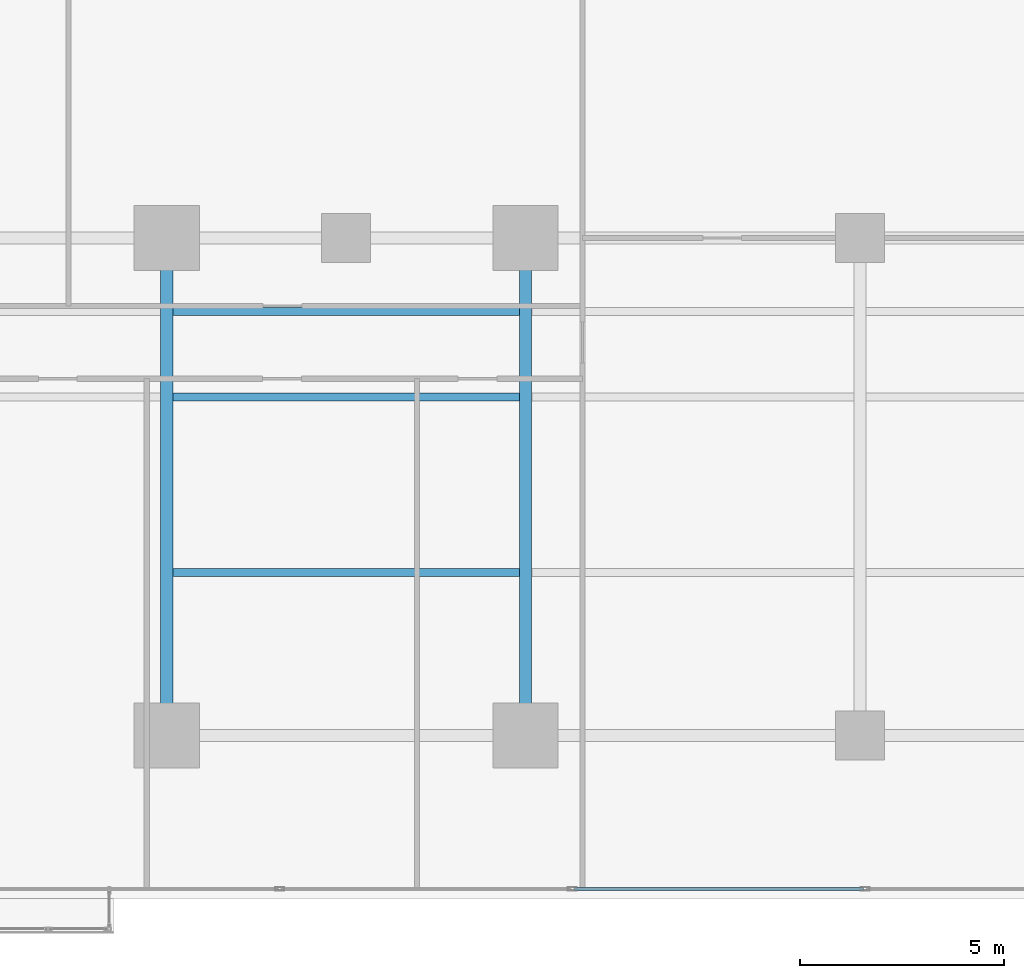
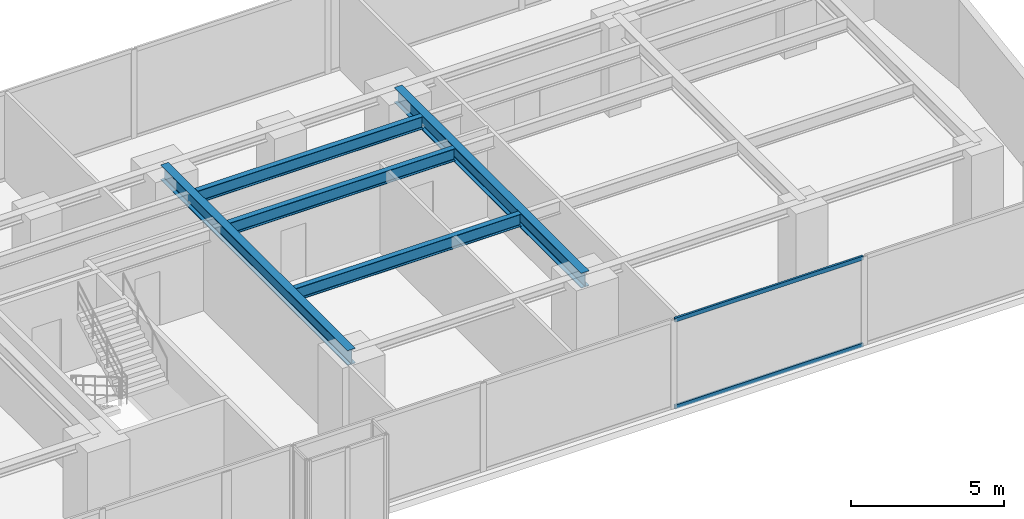
# One storey, part 10 of 31: 5 beams, 2 members, 1 element without a shape of its own.
"""IFC4 building model written with IfcOpenShell, lengths in metres."""

from ifc_helpers import new_model, si_unit, direction, frame, origin, origin_with_axes, origin_2d, place, context, subcontext, project, spatial, hollow_rectangle, i_section, extrude, source, transform, mapped, material, layer, layer_set, material_profile, profile_set, type_object, element, aggregate, save


model = new_model("IFC4")

# Units and contexts
model_context = context("Model", 3, precision=1e-05, world=origin(), true_north=direction((0.0, 1.0)))
body_context = subcontext(model_context, "Body", "Model", "MODEL_VIEW")
ifc_project = project(units=[si_unit("LENGTHUNIT", "METRE"), si_unit("AREAUNIT", "SQUARE_METRE"), si_unit("VOLUMEUNIT", "CUBIC_METRE"), si_unit("PLANEANGLEUNIT", "RADIAN"), si_unit("MASSUNIT", "GRAM", prefix="KILO")], contexts=[model_context])

# Site, building, storey
site_placement = place(None, origin())
site = spatial("IfcSite", under=ifc_project, at=site_placement, CompositionType="ELEMENT")
building_placement = place(site_placement, origin())
building = spatial("IfcBuilding", under=site, at=building_placement, Name="Kolvaren Waterfront Exchange", CompositionType="ELEMENT")
storey_placement = place(building_placement, frame((0.0, 0.0, 67.60009765625)))
storey = spatial("IfcBuildingStorey", under=building, at=storey_placement, Name="L17", CompositionType="ELEMENT", Elevation=67.60009765625)

# Beams
ifc_material_1 = material(Name="Steel S355", Category="steel")
ifc_material_profile_1 = material_profile(ifc_material_1, i_section(OverallWidth=0.300048828125, OverallDepth=0.60009765625, WebThickness=0.015380859375, FlangeThickness=0.030029296875, FilletRadius=0.027099609375, at=origin_2d()), Name="HEB600")
ifc_profile_set_1 = profile_set([ifc_material_profile_1], Name="Steel S355")
beam_type_1 = type_object("IfcBeamType", Name="STR-BM-HEB600", PredefinedType="BEAM", material=ifc_profile_set_1)
for number, where, z_axis, x_axis, name in (
    (1, (36.800048828125, 5.199951171875, 3.239990234375), (0.0, 1.0, 0.0), (-1.0, 0.0, 0.0), "L17 east-arm transverse girder X36"),
    (2, (45.60009765625, 5.199951171875, 3.239990234375), (0.0, 1.0, 0.0), (-1.0, 0.0, 0.0), "L17 east-arm transverse girder X45"),
):
    element("IfcBeam", number, at=place(storey_placement, frame(where, z_axis=z_axis, x_axis=x_axis)), inside=storey, type_object=beam_type_1, Name=name, PredefinedType="BEAM", context=body_context, shape_type="SweptSolid", body=[
        extrude(i_section(OverallWidth=0.300048828125, OverallDepth=0.60009765625, WebThickness=0.015380859375, FlangeThickness=0.030029296875, FilletRadius=0.027099609375, at=origin_2d()), origin(), (0.0, 0.0, 1.0), 12.199951171875),
    ])
ifc_material_profile_2 = material_profile(ifc_material_1, i_section(OverallWidth=0.199951171875, OverallDepth=0.5, WebThickness=0.01025390625, FlangeThickness=0.01611328125, FilletRadius=0.02099609375, at=origin_2d()), Name="IPE500")
ifc_profile_set_2 = profile_set([ifc_material_profile_2], Name="Steel S355")
beam_type_2 = type_object("IfcBeamType", Name="STR-BM-IPE500", PredefinedType="JOIST", material=ifc_profile_set_2)
for number, where, z_axis, x_axis, name in (
    (3, (36.951904296875, 13.5, 3.289794921875), (1.0, 0.0, 0.0), (0.0, 1.0, 0.0), "L17 east-arm composite joist 3A"),
    (4, (36.951904296875, 15.60009765625, 3.289794921875), (1.0, 0.0, 0.0), (0.0, 1.0, 0.0), "L17 east-arm composite joist 3C"),
    (5, (36.951904296875, 9.199951171875, 3.289794921875), (1.0, 0.0, 0.0), (0.0, 1.0, 0.0), "L17 east-arm composite joist 3B"),
):
    element("IfcBeam", number, at=place(storey_placement, frame(where, z_axis=z_axis, x_axis=x_axis)), inside=storey, type_object=beam_type_2, Name=name, PredefinedType="JOIST", context=body_context, shape_type="SweptSolid", body=[
        extrude(i_section(OverallWidth=0.199951171875, OverallDepth=0.5, WebThickness=0.01025390625, FlangeThickness=0.01611328125, FilletRadius=0.02099609375, at=origin_2d()), origin(), (0.0, 0.0, 1.0), 8.49609375),
    ])

# Curtain wall, members
ifc_material_2 = material(Name="Anodised bronze aluminium 6063-T6", Category="aluminium")
ifc_layer = layer(ifc_material_2, 0.219970703125, Name="Anodised bronze aluminium 6063-T6")
ifc_layer_set = layer_set([ifc_layer], Name="Anodised bronze aluminium 6063-T6")
curtain_wall_type = type_object("IfcCurtainWallType", Name="ARC-CW-SYS1", PredefinedType="USERDEFINED", material=ifc_layer_set)
curtain_wall_placement = place(storey_placement, origin())
curtain_wall = element("IfcCurtainWall", 6, at=curtain_wall_placement, inside=storey, type_object=curtain_wall_type, Name="L17 stick curtain wall CW1 (CW-L17-S)", ObjectType="STICK CURTAIN WALL", PredefinedType="USERDEFINED")
ifc_material_3 = material(Name="Anodised aluminium 6063-T6", Category="aluminium")
ifc_material_profile_3 = material_profile(ifc_material_3, hollow_rectangle(XDim=0.074951171875, YDim=0.159912109375, WallThickness=0.00439453125, at=origin_2d()), Name="ALU-TRN-160x75x4.5")
ifc_profile_set_3 = profile_set([ifc_material_profile_3], Name="Anodised aluminium 6063-T6")
member_type = type_object("IfcMemberType", Name="ARC-CWT-160", PredefinedType="USERDEFINED", material=ifc_profile_set_3)
shared_shape = source(origin_with_axes(), body_context, "Body", "SweptSolid", [
    extrude(hollow_rectangle(XDim=0.074951171875, YDim=0.159912109375, WallThickness=0.00439453125, at=origin_2d()), origin(), (0.0, 0.0, 1.0), 7.094970703125),
])
member_1_placement = place(storey_placement, frame((46.7900390625, 1.43994140625, 0.037353515625), z_axis=(1.0, 0.0, 0.0), x_axis=(0.0, 1.0, 0.0)))
member_1 = element("IfcMember", 7, at=member_1_placement, type_object=member_type, Name="CW1 transom 7.1", ObjectType="TRANSOM", PredefinedType="USERDEFINED", context=body_context, shape_type="MappedRepresentation", body=[
    mapped(shared_shape, transform((0.0, 0.0, 0.0), x_axis=(1.0, 0.0, 0.0), y_axis=(0.0, 1.0, 0.0), z_axis=(0.0, 0.0, 1.0), scale=1.0)),
])
member_2_placement = place(storey_placement, frame((46.7900390625, 1.43994140625, 3.50244140625), z_axis=(1.0, 0.0, 0.0), x_axis=(0.0, 1.0, 0.0)))
member_2 = element("IfcMember", 8, at=member_2_placement, type_object=member_type, Name="CW1 transom 7.2", ObjectType="TRANSOM", PredefinedType="USERDEFINED", context=body_context, shape_type="MappedRepresentation", body=[
    mapped(shared_shape, transform((0.0, 0.0, 0.0), x_axis=(1.0, 0.0, 0.0), y_axis=(0.0, 1.0, 0.0), z_axis=(0.0, 0.0, 1.0), scale=1.0)),
])
aggregate(curtain_wall, [member_1, member_2])

save(model, "model.ifc")
